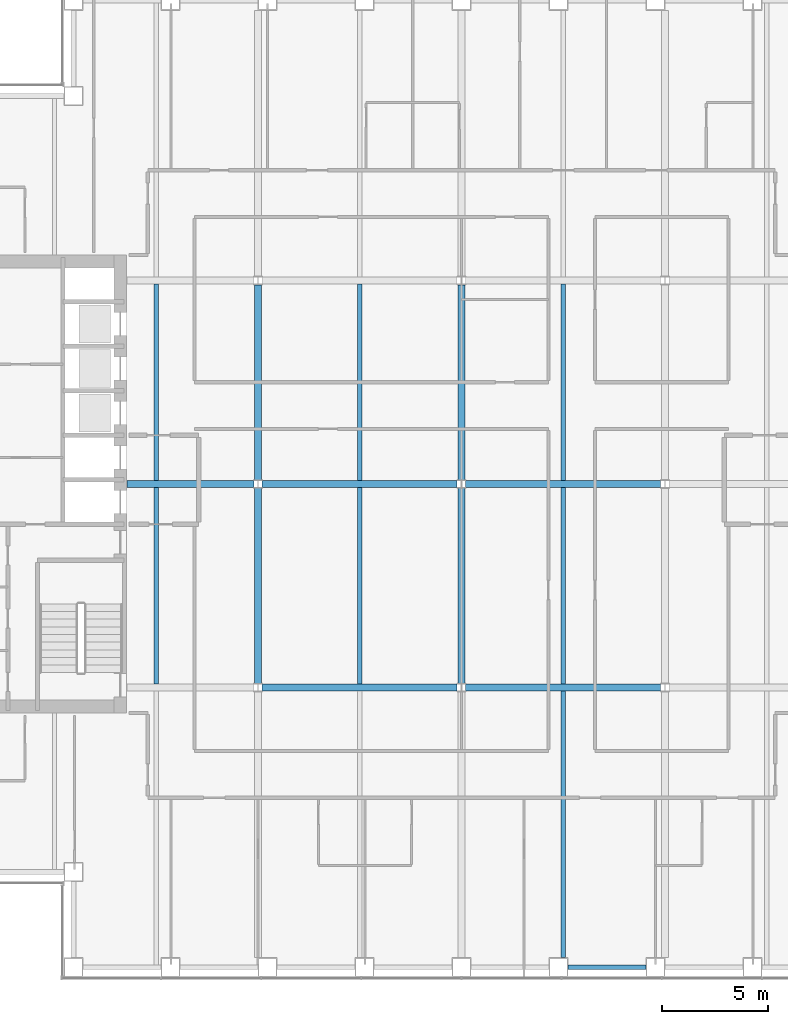
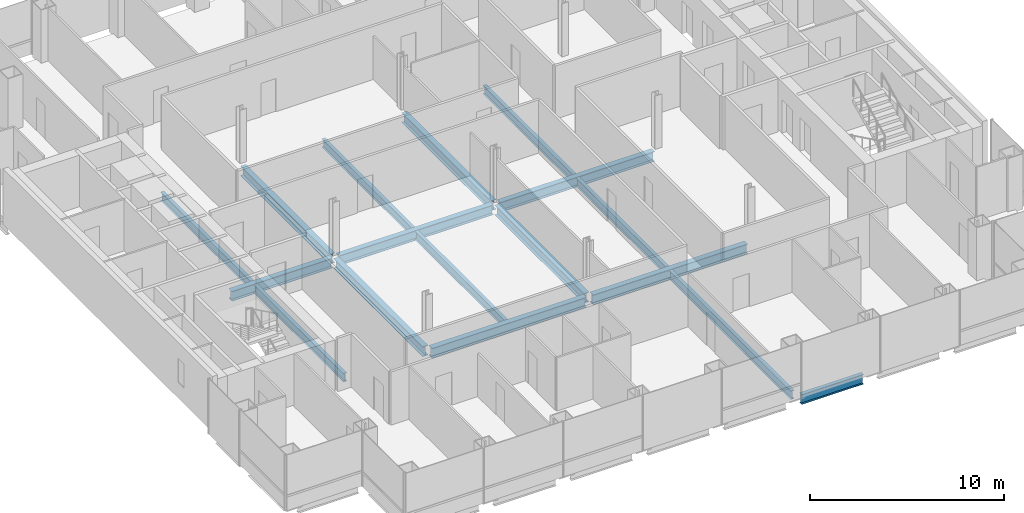
# One storey, part 3 of 16: 17 beams.
"""IFC4 building model written with IfcOpenShell, lengths in metres."""

from ifc_helpers import new_model, si_unit, direction, frame, origin, origin_2d, place, context, subcontext, project, spatial, i_section, extrude, material, material_profile, profile_set, type_object, element, save


model = new_model("IFC4")

# Units and contexts
model_context = context("Model", 3, precision=1e-05, world=origin(), true_north=direction((0.0, 1.0)))
body_context = subcontext(model_context, "Body", "Model", "MODEL_VIEW")
ifc_project = project(units=[si_unit("LENGTHUNIT", "METRE"), si_unit("AREAUNIT", "SQUARE_METRE"), si_unit("VOLUMEUNIT", "CUBIC_METRE"), si_unit("PLANEANGLEUNIT", "RADIAN"), si_unit("MASSUNIT", "GRAM", prefix="KILO")], contexts=[model_context])

# Site, building, storey
site_placement = place(None, origin())
site = spatial("IfcSite", under=ifc_project, at=site_placement, CompositionType="ELEMENT")
building_placement = place(site_placement, origin())
building = spatial("IfcBuilding", under=site, at=building_placement, Name="Cobrizo Arcos Hotel Tower", CompositionType="ELEMENT")
storey_placement = place(building_placement, frame((0.0, 0.0, 113.5)))
storey = spatial("IfcBuildingStorey", under=building, at=storey_placement, Name="L28", CompositionType="ELEMENT", Elevation=113.5)

# Beams
ifc_material = material(Name="Steel ASTM A992 Grade 50", Category="steel")
ifc_material_profile_1 = material_profile(ifc_material, i_section(OverallWidth=0.209228515625, OverallDepth=0.533447265625, WebThickness=0.01025390625, FlangeThickness=0.015625, at=origin_2d()), Name="W21X62")
ifc_profile_set_1 = profile_set([ifc_material_profile_1], Name="Steel ASTM A992 Grade 50")
beam_type_1 = type_object("IfcBeamType", Name="W21X62 joist", PredefinedType="JOIST", material=ifc_profile_set_1)
for number, where, z_axis, x_axis, name in (
    (1, (-14.39990234375, -9.43603515625, -0.416748046875), (0.0, 1.0, 0.0), (-1.0, 0.0, 0.0), "Floor joist J1, L28, no. 004"),
    (2, (-14.39990234375, 0.163818359375, -0.416748046875), (0.0, 1.0, 0.0), (-1.0, 0.0, 0.0), "Floor joist J1, L28, no. 005"),
    (3, (-4.800048828125, -9.43603515625, -0.416748046875), (0.0, 1.0, 0.0), (-1.0, 0.0, 0.0), "Floor joist J1, L28, no. 008"),
    (4, (-4.800048828125, 0.163818359375, -0.416748046875), (0.0, 1.0, 0.0), (-1.0, 0.0, 0.0), "Floor joist J1, L28, no. 009"),
):
    element("IfcBeam", number, at=place(storey_placement, frame(where, z_axis=z_axis, x_axis=x_axis)), inside=storey, type_object=beam_type_1, Name=name, PredefinedType="JOIST", context=body_context, shape_type="SweptSolid", body=[
        extrude(i_section(OverallWidth=0.209228515625, OverallDepth=0.533447265625, WebThickness=0.01025390625, FlangeThickness=0.015625, at=origin_2d()), origin(), (0.0, 0.0, 1.0), 9.272216796875),
    ])
beam_1_placement = place(storey_placement, frame((4.800048828125, -22.35009765625, -0.416748046875), z_axis=(0.0, 1.0, 0.0), x_axis=(-1.0, 0.0, 0.0)))
element("IfcBeam", 5, at=beam_1_placement, inside=storey, type_object=beam_type_1, Name="Floor joist J1, L28, no. 011", PredefinedType="JOIST", context=body_context, shape_type="SweptSolid", body=[
    extrude(i_section(OverallWidth=0.209228515625, OverallDepth=0.533447265625, WebThickness=0.01025390625, FlangeThickness=0.015625, at=origin_2d()), origin(), (0.0, 0.0, 1.0), 12.586181640625),
])
for number, where, z_axis, x_axis, name in (
    (6, (4.800048828125, -9.43603515625, -0.416748046875), (0.0, 1.0, 0.0), (-1.0, 0.0, 0.0), "Floor joist J1, L28, no. 012"),
    (7, (4.800048828125, 0.163818359375, -0.416748046875), (0.0, 1.0, 0.0), (-1.0, 0.0, 0.0), "Floor joist J1, L28, no. 013"),
):
    element("IfcBeam", number, at=place(storey_placement, frame(where, z_axis=z_axis, x_axis=x_axis)), inside=storey, type_object=beam_type_1, Name=name, PredefinedType="JOIST", context=body_context, shape_type="SweptSolid", body=[
        extrude(i_section(OverallWidth=0.209228515625, OverallDepth=0.533447265625, WebThickness=0.01025390625, FlangeThickness=0.015625, at=origin_2d()), origin(), (0.0, 0.0, 1.0), 9.272216796875),
    ])
ifc_material_profile_2 = material_profile(ifc_material, i_section(OverallWidth=0.32763671875, OverallDepth=0.622314453125, WebThickness=0.015380859375, FlangeThickness=0.0244140625, at=origin_2d()), Name="W24X131")
ifc_profile_set_2 = profile_set([ifc_material_profile_2], Name="Steel ASTM A992 Grade 50")
beam_type_2 = type_object("IfcBeamType", Name="W24X131 girder", PredefinedType="BEAM", material=ifc_profile_set_2)
for number, where, z_axis, x_axis, name in (
    (8, (-9.400634765625, -9.60009765625, -0.461181640625), (1.0, 0.0, 0.0), (0.0, 1.0, 0.0), "Floor girder G1, L28, no. 002"),
    (9, (0.199462890625, -9.60009765625, -0.461181640625), (1.0, 0.0, 0.0), (0.0, 1.0, 0.0), "Floor girder G1, L28, no. 003"),
):
    element("IfcBeam", number, at=place(storey_placement, frame(where, z_axis=z_axis, x_axis=x_axis)), inside=storey, type_object=beam_type_2, Name=name, PredefinedType="BEAM", context=body_context, shape_type="SweptSolid", body=[
        extrude(i_section(OverallWidth=0.32763671875, OverallDepth=0.622314453125, WebThickness=0.015380859375, FlangeThickness=0.0244140625, at=origin_2d()), origin(), (0.0, 0.0, 1.0), 9.201171875),
    ])
beam_2_placement = place(storey_placement, frame((-15.7900390625, 0.0, -0.461181640625), z_axis=(1.0, 0.0, 0.0), x_axis=(0.0, 1.0, 0.0)))
element("IfcBeam", 10, at=beam_2_placement, inside=storey, type_object=beam_type_2, Name="Floor girder G1, L28, no. 005", PredefinedType="BEAM", context=body_context, shape_type="SweptSolid", body=[
    extrude(i_section(OverallWidth=0.32763671875, OverallDepth=0.622314453125, WebThickness=0.015380859375, FlangeThickness=0.0244140625, at=origin_2d()), origin(), (0.0, 0.0, 1.0), 5.99072265625),
])
for number, where, z_axis, x_axis, name in (
    (11, (-9.400634765625, 0.0, -0.461181640625), (1.0, 0.0, 0.0), (0.0, 1.0, 0.0), "Floor girder G1, L28, no. 006"),
    (12, (0.199462890625, 0.0, -0.461181640625), (1.0, 0.0, 0.0), (0.0, 1.0, 0.0), "Floor girder G1, L28, no. 007"),
    (13, (-9.60009765625, -9.400634765625, -0.461181640625), (0.0, 1.0, 0.0), (-1.0, 0.0, 0.0), "Floor girder G1, L28, no. 014"),
    (14, (-9.60009765625, 0.199462890625, -0.461181640625), (0.0, 1.0, 0.0), (-1.0, 0.0, 0.0), "Floor girder G1, L28, no. 015"),
    (15, (0.0, -9.400634765625, -0.461181640625), (0.0, 1.0, 0.0), (-1.0, 0.0, 0.0), "Floor girder G1, L28, no. 018"),
    (16, (0.0, 0.199462890625, -0.461181640625), (0.0, 1.0, 0.0), (-1.0, 0.0, 0.0), "Floor girder G1, L28, no. 019"),
):
    element("IfcBeam", number, at=place(storey_placement, frame(where, z_axis=z_axis, x_axis=x_axis)), inside=storey, type_object=beam_type_2, Name=name, PredefinedType="BEAM", context=body_context, shape_type="SweptSolid", body=[
        extrude(i_section(OverallWidth=0.32763671875, OverallDepth=0.622314453125, WebThickness=0.015380859375, FlangeThickness=0.0244140625, at=origin_2d()), origin(), (0.0, 0.0, 1.0), 9.201171875),
    ])
ifc_material_profile_3 = material_profile(ifc_material, i_section(OverallWidth=0.23046875, OverallDepth=0.6171875, WebThickness=0.01318359375, FlangeThickness=0.022216796875, at=origin_2d()), Name="W24X94")
ifc_profile_set_3 = profile_set([ifc_material_profile_3], Name="Steel ASTM A992 Grade 50")
beam_type_3 = type_object("IfcBeamType", Name="W24X94 spandrel", PredefinedType="SPANDREL", material=ifc_profile_set_3)
beam_3_placement = place(storey_placement, frame((5.02490234375, -22.800048828125, -0.45849609375), z_axis=(1.0, 0.0, 0.0), x_axis=(0.0, 1.0, 0.0)))
element("IfcBeam", 17, at=beam_3_placement, inside=storey, type_object=beam_type_3, Name="Spandrel beam W24X94, L28, no. 006", PredefinedType="SPANDREL", context=body_context, shape_type="SweptSolid", body=[
    extrude(i_section(OverallWidth=0.23046875, OverallDepth=0.6171875, WebThickness=0.01318359375, FlangeThickness=0.022216796875, at=origin_2d()), origin(), (0.0, 0.0, 1.0), 3.675048828125),
])

save(model, "model.ifc")
